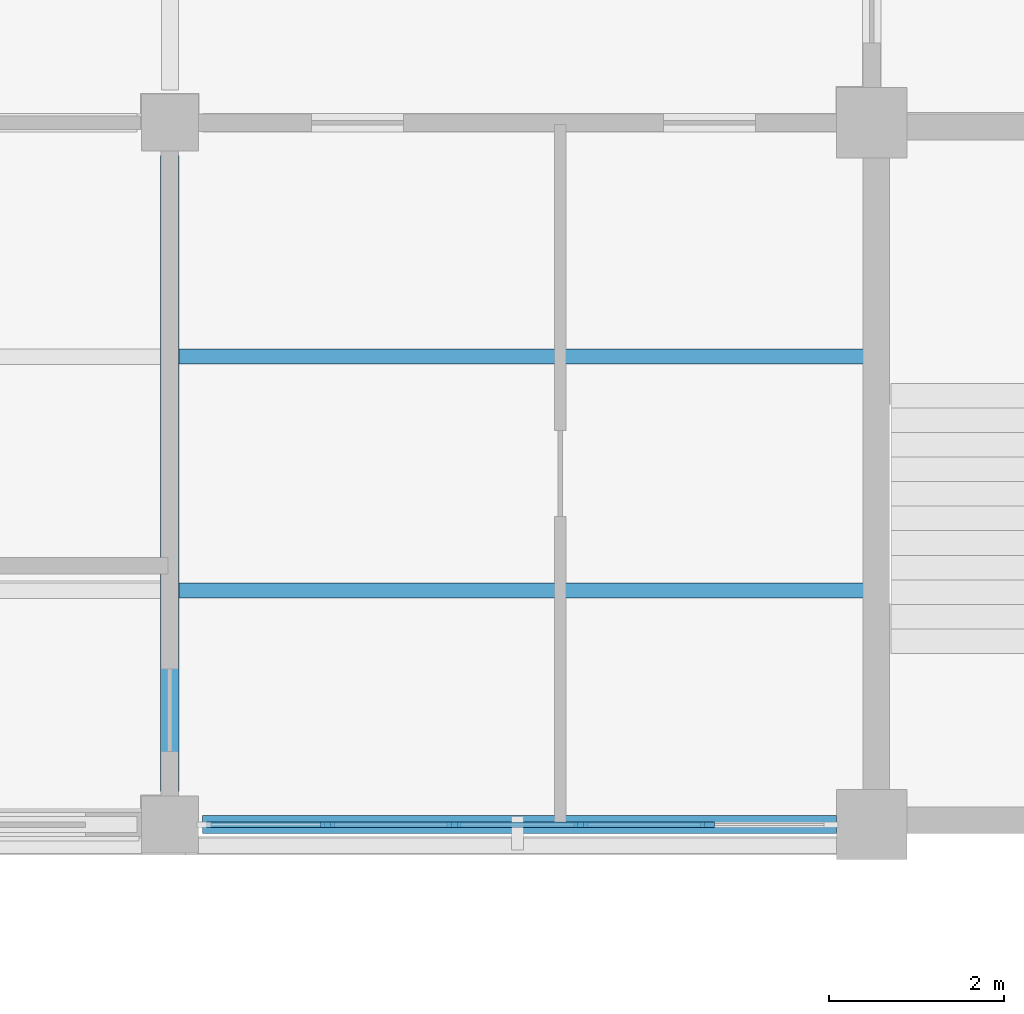
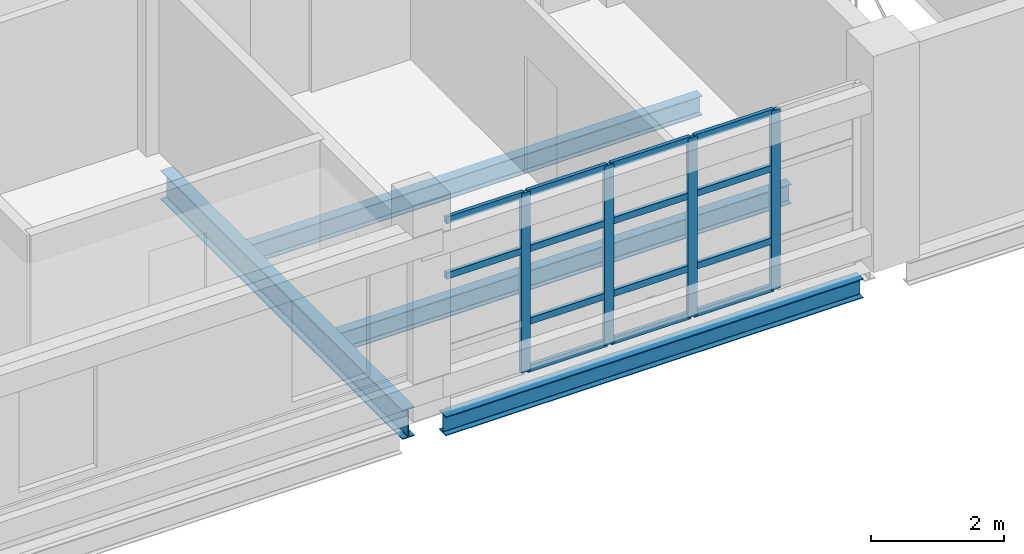
# One storey, part 58 of 126: 18 members, 4 beams, 1 element without a shape of its own.
"""IFC4 building model written with IfcOpenShell, lengths in metres."""

from ifc_helpers import new_model, si_unit, derived_unit, direction, frame, origin, origin_2d, place, context, subcontext, project, spatial, rectangle, i_section, extrude, material, layer, layer_set, material_profile, profile_set, type_object, element, aggregate, save


model = new_model("IFC4")

# Units and contexts
model_context = context("Model", 3, precision=1e-05, world=origin(), true_north=direction((0.0, 1.0)))
body_context = subcontext(model_context, "Body", "Model", "MODEL_VIEW")
ifc_project = project(units=[si_unit("LENGTHUNIT", "METRE"), si_unit("AREAUNIT", "SQUARE_METRE"), si_unit("VOLUMEUNIT", "CUBIC_METRE"), si_unit("PLANEANGLEUNIT", "RADIAN"), si_unit("MASSUNIT", "GRAM", prefix="KILO"), derived_unit("THERMALTRANSMITTANCEUNIT", [(si_unit("MASSUNIT", "GRAM", prefix="KILO"), 1), (si_unit("TIMEUNIT", "SECOND"), -3), (si_unit("THERMODYNAMICTEMPERATUREUNIT", "KELVIN"), -1)])], contexts=[model_context])

# Site, building, storey
site_placement = place(None, origin())
site = spatial("IfcSite", under=ifc_project, at=site_placement, CompositionType="ELEMENT")
building_placement = place(site_placement, origin())
building = spatial("IfcBuilding", under=site, at=building_placement, Name="Veyamyaing Civic Hall", CompositionType="ELEMENT")
storey_placement = place(building_placement, frame((0.0, 0.0, 9.89990234375)))
storey = spatial("IfcBuildingStorey", under=building, at=storey_placement, Name="L02", CompositionType="ELEMENT", Elevation=9.89990234375)

# Beams
ifc_material_1 = material(Name="Steel ASTM A992", Category="steel")
ifc_material_profile_1 = material_profile(ifc_material_1, i_section(OverallWidth=0.2041015625, OverallDepth=0.35009765625, WebThickness=0.0078125, FlangeThickness=0.01513671875, FilletRadius=0.010009765625, at=origin_2d()), Name="W360X72")
ifc_profile_set_1 = profile_set([ifc_material_profile_1], Name="Steel ASTM A992")
beam_type_1 = type_object("IfcBeamType", Name="B-11", PredefinedType="SPANDREL", material=ifc_profile_set_1)
beam_1_placement = place(storey_placement, frame((152.375, 88.0, -0.4599609375), z_axis=(1.0, 0.0, 0.0), x_axis=(0.0, 1.0, 0.0)))
element("IfcBeam", 1, at=beam_1_placement, inside=storey, type_object=beam_type_1, Name="Girder B-11 L02 Grid M 20-21", PredefinedType="SPANDREL", context=body_context, shape_type="SweptSolid", body=[
    extrude(i_section(OverallWidth=0.2041015625, OverallDepth=0.35009765625, WebThickness=0.0078125, FlangeThickness=0.01513671875, FilletRadius=0.010009765625, at=origin_2d()), origin(), (0.0, 0.0, 1.0), 7.22509765625),
])
ifc_material_profile_2 = material_profile(ifc_material_1, i_section(OverallWidth=0.2109375, OverallDepth=0.5390625, WebThickness=0.01171875, FlangeThickness=0.018798828125, FilletRadius=0.011962890625, at=origin_2d()), Name="W530X109")
ifc_profile_set_2 = profile_set([ifc_material_profile_2], Name="Steel ASTM A992")
beam_type_2 = type_object("IfcBeamType", Name="B-17", PredefinedType="BEAM", material=ifc_profile_set_2)
beam_2_placement = place(storey_placement, frame((152.0, 88.375, -0.554443359375), z_axis=(0.0, 1.0, 0.0), x_axis=(-1.0, 0.0, 0.0)))
element("IfcBeam", 2, at=beam_2_placement, inside=storey, type_object=beam_type_2, Name="Girder B-17 L02 Grid 20 M-N", PredefinedType="BEAM", context=body_context, shape_type="SweptSolid", body=[
    extrude(i_section(OverallWidth=0.2109375, OverallDepth=0.5390625, WebThickness=0.01171875, FlangeThickness=0.018798828125, FilletRadius=0.011962890625, at=origin_2d()), origin(), (0.0, 0.0, 1.0), 7.25),
])

# Curtain wall, members
ifc_material_2 = material(Name="Anodised aluminium 6063-T6", Category="aluminium")
ifc_layer = layer(ifc_material_2, 0.159912109375, Name="Anodised aluminium 6063-T6")
ifc_layer_set = layer_set([ifc_layer], Name="Anodised aluminium 6063-T6")
curtain_wall_type = type_object("IfcCurtainWallType", Name="CW-03", PredefinedType="NOTDEFINED", material=ifc_layer_set)
curtain_wall_placement = place(storey_placement, origin())
curtain_wall = element("IfcCurtainWall", 3, at=curtain_wall_placement, inside=storey, type_object=curtain_wall_type, Name="Unitized curtain wall CW-03 L02 S 20.12", PredefinedType="NOTDEFINED")
ifc_material_profile_3 = material_profile(ifc_material_2, rectangle(XDim=0.06494140625, YDim=0.159912109375, at=origin_2d()), Name="ALU-MUL-65X160")
ifc_profile_set_3 = profile_set([ifc_material_profile_3], Name="Anodised aluminium 6063-T6")
member_type_1 = type_object("IfcMemberType", Name="CWM-01", PredefinedType="MULLION", material=ifc_profile_set_3)
member_1_placement = place(storey_placement, frame((153.798095703125, 88.0, 0.0), z_axis=(0.0, 0.0, 1.0), x_axis=(0.0, 1.0, 0.0)))
member_1 = element("IfcMember", 4, at=member_1_placement, type_object=member_type_1, Name="CW-03 mullion 2", PredefinedType="MULLION", context=body_context, shape_type="SweptSolid", body=[
    extrude(rectangle(XDim=0.06494140625, YDim=0.159912109375, at=origin_2d()), origin(), (0.0, 0.0, 1.0), 3.280029296875),
])
member_2_placement = place(storey_placement, frame((155.240966796875, 88.0, 0.0), z_axis=(0.0, 0.0, 1.0), x_axis=(0.0, 1.0, 0.0)))
member_2 = element("IfcMember", 5, at=member_2_placement, type_object=member_type_1, Name="CW-03 mullion 3", PredefinedType="MULLION", context=body_context, shape_type="SweptSolid", body=[
    extrude(rectangle(XDim=0.06494140625, YDim=0.159912109375, at=origin_2d()), origin(), (0.0, 0.0, 1.0), 3.280029296875),
])
member_3_placement = place(storey_placement, frame((156.68408203125, 88.0, 0.0), z_axis=(0.0, 0.0, 1.0), x_axis=(0.0, 1.0, 0.0)))
member_3 = element("IfcMember", 6, at=member_3_placement, type_object=member_type_1, Name="CW-03 mullion 4", PredefinedType="MULLION", context=body_context, shape_type="SweptSolid", body=[
    extrude(rectangle(XDim=0.06494140625, YDim=0.159912109375, at=origin_2d()), origin(), (0.0, 0.0, 1.0), 3.280029296875),
])
member_4_placement = place(storey_placement, frame((158.126953125, 88.0, 0.0), z_axis=(0.0, 0.0, 1.0), x_axis=(0.0, 1.0, 0.0)))
member_4 = element("IfcMember", 7, at=member_4_placement, type_object=member_type_1, Name="CW-03 mullion 5", PredefinedType="MULLION", context=body_context, shape_type="SweptSolid", body=[
    extrude(rectangle(XDim=0.06494140625, YDim=0.159912109375, at=origin_2d()), origin(), (0.0, 0.0, 1.0), 3.280029296875),
])
ifc_material_profile_4 = material_profile(ifc_material_2, rectangle(XDim=0.06494140625, YDim=0.1201171875, at=origin_2d()), Name="ALU-TRN-65X120")
ifc_profile_set_4 = profile_set([ifc_material_profile_4], Name="Anodised aluminium 6063-T6")
member_type_2 = type_object("IfcMemberType", Name="CWT-01", PredefinedType="USERDEFINED", material=ifc_profile_set_4)
member_5_placement = place(storey_placement, frame((152.419921875, 88.0, 2.23046875), z_axis=(1.0, 0.0, 0.0), x_axis=(0.0, 1.0, 0.0)))
member_5 = element("IfcMember", 8, at=member_5_placement, type_object=member_type_2, Name="CW-03 transom 1.3", ObjectType="TRANSOM", PredefinedType="USERDEFINED", context=body_context, shape_type="SweptSolid", body=[
    extrude(rectangle(XDim=0.06494140625, YDim=0.1201171875, at=origin_2d()), origin(), (0.0, 0.0, 1.0), 1.345458984375),
])
member_6_placement = place(storey_placement, frame((152.419921875, 88.0, 3.24755859375), z_axis=(1.0, 0.0, 0.0), x_axis=(0.0, 1.0, 0.0)))
member_6 = element("IfcMember", 9, at=member_6_placement, type_object=member_type_2, Name="CW-03 transom 1.4", ObjectType="TRANSOM", PredefinedType="USERDEFINED", context=body_context, shape_type="SweptSolid", body=[
    extrude(rectangle(XDim=0.06494140625, YDim=0.1201171875, at=origin_2d()), origin(), (0.0, 0.0, 1.0), 1.345458984375),
])
member_7_placement = place(storey_placement, frame((153.83056640625, 88.0, 0.03271484375), z_axis=(1.0, 0.0, 0.0), x_axis=(0.0, 1.0, 0.0)))
member_7 = element("IfcMember", 10, at=member_7_placement, type_object=member_type_2, Name="CW-03 transom 2.1", ObjectType="TRANSOM", PredefinedType="USERDEFINED", context=body_context, shape_type="SweptSolid", body=[
    extrude(rectangle(XDim=0.06494140625, YDim=0.1201171875, at=origin_2d()), origin(), (0.0, 0.0, 1.0), 1.3779296875),
])
member_8_placement = place(storey_placement, frame((153.83056640625, 88.0, 0.900146484375), z_axis=(1.0, 0.0, 0.0), x_axis=(0.0, 1.0, 0.0)))
member_8 = element("IfcMember", 11, at=member_8_placement, type_object=member_type_2, Name="CW-03 transom 2.2", ObjectType="TRANSOM", PredefinedType="USERDEFINED", context=body_context, shape_type="SweptSolid", body=[
    extrude(rectangle(XDim=0.06494140625, YDim=0.1201171875, at=origin_2d()), origin(), (0.0, 0.0, 1.0), 1.3779296875),
])
member_9_placement = place(storey_placement, frame((153.83056640625, 88.0, 2.23046875), z_axis=(1.0, 0.0, 0.0), x_axis=(0.0, 1.0, 0.0)))
member_9 = element("IfcMember", 12, at=member_9_placement, type_object=member_type_2, Name="CW-03 transom 2.3", ObjectType="TRANSOM", PredefinedType="USERDEFINED", context=body_context, shape_type="SweptSolid", body=[
    extrude(rectangle(XDim=0.06494140625, YDim=0.1201171875, at=origin_2d()), origin(), (0.0, 0.0, 1.0), 1.3779296875),
])
member_10_placement = place(storey_placement, frame((153.83056640625, 88.0, 3.24755859375), z_axis=(1.0, 0.0, 0.0), x_axis=(0.0, 1.0, 0.0)))
member_10 = element("IfcMember", 13, at=member_10_placement, type_object=member_type_2, Name="CW-03 transom 2.4", ObjectType="TRANSOM", PredefinedType="USERDEFINED", context=body_context, shape_type="SweptSolid", body=[
    extrude(rectangle(XDim=0.06494140625, YDim=0.1201171875, at=origin_2d()), origin(), (0.0, 0.0, 1.0), 1.3779296875),
])
member_11_placement = place(storey_placement, frame((155.2734375, 88.0, 0.03271484375), z_axis=(1.0, 0.0, 0.0), x_axis=(0.0, 1.0, 0.0)))
member_11 = element("IfcMember", 14, at=member_11_placement, type_object=member_type_2, Name="CW-03 transom 3.1", ObjectType="TRANSOM", PredefinedType="USERDEFINED", context=body_context, shape_type="SweptSolid", body=[
    extrude(rectangle(XDim=0.06494140625, YDim=0.1201171875, at=origin_2d()), origin(), (0.0, 0.0, 1.0), 1.378173828125),
])
member_12_placement = place(storey_placement, frame((155.2734375, 88.0, 0.900146484375), z_axis=(1.0, 0.0, 0.0), x_axis=(0.0, 1.0, 0.0)))
member_12 = element("IfcMember", 15, at=member_12_placement, type_object=member_type_2, Name="CW-03 transom 3.2", ObjectType="TRANSOM", PredefinedType="USERDEFINED", context=body_context, shape_type="SweptSolid", body=[
    extrude(rectangle(XDim=0.06494140625, YDim=0.1201171875, at=origin_2d()), origin(), (0.0, 0.0, 1.0), 1.378173828125),
])
member_13_placement = place(storey_placement, frame((155.2734375, 88.0, 2.23046875), z_axis=(1.0, 0.0, 0.0), x_axis=(0.0, 1.0, 0.0)))
member_13 = element("IfcMember", 16, at=member_13_placement, type_object=member_type_2, Name="CW-03 transom 3.3", ObjectType="TRANSOM", PredefinedType="USERDEFINED", context=body_context, shape_type="SweptSolid", body=[
    extrude(rectangle(XDim=0.06494140625, YDim=0.1201171875, at=origin_2d()), origin(), (0.0, 0.0, 1.0), 1.378173828125),
])
member_14_placement = place(storey_placement, frame((155.2734375, 88.0, 3.24755859375), z_axis=(1.0, 0.0, 0.0), x_axis=(0.0, 1.0, 0.0)))
member_14 = element("IfcMember", 17, at=member_14_placement, type_object=member_type_2, Name="CW-03 transom 3.4", ObjectType="TRANSOM", PredefinedType="USERDEFINED", context=body_context, shape_type="SweptSolid", body=[
    extrude(rectangle(XDim=0.06494140625, YDim=0.1201171875, at=origin_2d()), origin(), (0.0, 0.0, 1.0), 1.378173828125),
])
member_15_placement = place(storey_placement, frame((156.716552734375, 88.0, 0.03271484375), z_axis=(1.0, 0.0, 0.0), x_axis=(0.0, 1.0, 0.0)))
member_15 = element("IfcMember", 18, at=member_15_placement, type_object=member_type_2, Name="CW-03 transom 4.1", ObjectType="TRANSOM", PredefinedType="USERDEFINED", context=body_context, shape_type="SweptSolid", body=[
    extrude(rectangle(XDim=0.06494140625, YDim=0.1201171875, at=origin_2d()), origin(), (0.0, 0.0, 1.0), 1.3779296875),
])
member_16_placement = place(storey_placement, frame((156.716552734375, 88.0, 0.900146484375), z_axis=(1.0, 0.0, 0.0), x_axis=(0.0, 1.0, 0.0)))
member_16 = element("IfcMember", 19, at=member_16_placement, type_object=member_type_2, Name="CW-03 transom 4.2", ObjectType="TRANSOM", PredefinedType="USERDEFINED", context=body_context, shape_type="SweptSolid", body=[
    extrude(rectangle(XDim=0.06494140625, YDim=0.1201171875, at=origin_2d()), origin(), (0.0, 0.0, 1.0), 1.3779296875),
])
member_17_placement = place(storey_placement, frame((156.716552734375, 88.0, 2.23046875), z_axis=(1.0, 0.0, 0.0), x_axis=(0.0, 1.0, 0.0)))
member_17 = element("IfcMember", 20, at=member_17_placement, type_object=member_type_2, Name="CW-03 transom 4.3", ObjectType="TRANSOM", PredefinedType="USERDEFINED", context=body_context, shape_type="SweptSolid", body=[
    extrude(rectangle(XDim=0.06494140625, YDim=0.1201171875, at=origin_2d()), origin(), (0.0, 0.0, 1.0), 1.3779296875),
])
member_18_placement = place(storey_placement, frame((156.716552734375, 88.0, 3.24755859375), z_axis=(1.0, 0.0, 0.0), x_axis=(0.0, 1.0, 0.0)))
member_18 = element("IfcMember", 21, at=member_18_placement, type_object=member_type_2, Name="CW-03 transom 4.4", ObjectType="TRANSOM", PredefinedType="USERDEFINED", context=body_context, shape_type="SweptSolid", body=[
    extrude(rectangle(XDim=0.06494140625, YDim=0.1201171875, at=origin_2d()), origin(), (0.0, 0.0, 1.0), 1.3779296875),
])
aggregate(curtain_wall, [member_1, member_2, member_3, member_4, member_5, member_6, member_7, member_8, member_9, member_10, member_11, member_12, member_13, member_14, member_15, member_16, member_17, member_18])

# Beams
ifc_material_profile_5 = material_profile(ifc_material_1, i_section(OverallWidth=0.172119140625, OverallDepth=0.35791015625, WebThickness=0.0078125, FlangeThickness=0.01318359375, FilletRadius=0.010009765625, at=origin_2d()), Name="W360X57")
ifc_profile_set_5 = profile_set([ifc_material_profile_5], Name="Steel ASTM A992")
beam_type_3 = type_object("IfcBeamType", Name="J-02", PredefinedType="JOIST", material=ifc_profile_set_5)
for number, where, z_axis, x_axis, name in (
    (22, (152.103515625, 90.666748046875, -0.4638671875), (1.0, 0.0, 0.0), (0.0, 1.0, 0.0), "Composite floor joist J-02 L02 20.12.1"),
    (23, (152.103515625, 93.333251953125, -0.4638671875), (1.0, 0.0, 0.0), (0.0, 1.0, 0.0), "Composite floor joist J-02 L02 20.12.2"),
):
    element("IfcBeam", number, at=place(storey_placement, frame(where, z_axis=z_axis, x_axis=x_axis)), inside=storey, type_object=beam_type_3, Name=name, PredefinedType="JOIST", context=body_context, shape_type="SweptSolid", body=[
        extrude(i_section(OverallWidth=0.172119140625, OverallDepth=0.35791015625, WebThickness=0.0078125, FlangeThickness=0.01318359375, FilletRadius=0.010009765625, at=origin_2d()), origin(), (0.0, 0.0, 1.0), 7.801513671875),
    ])

save(model, "model.ifc")
